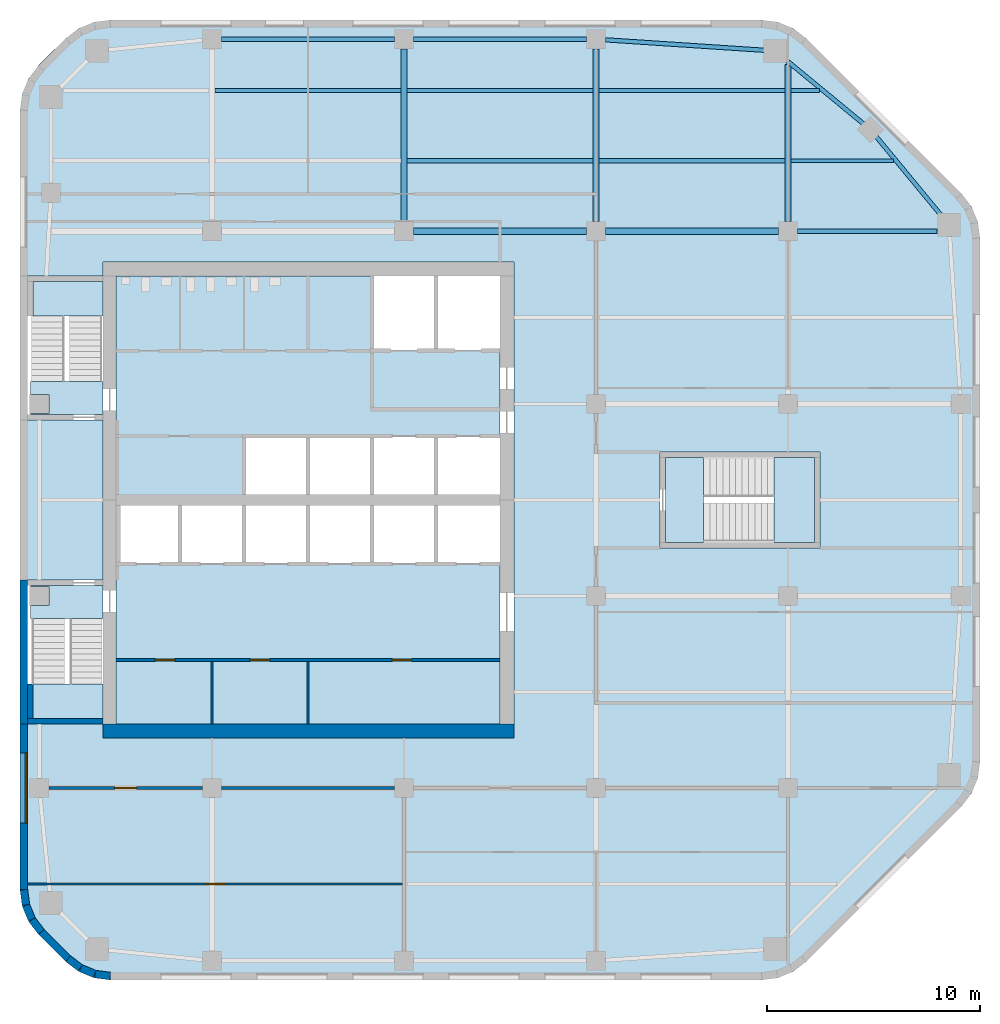
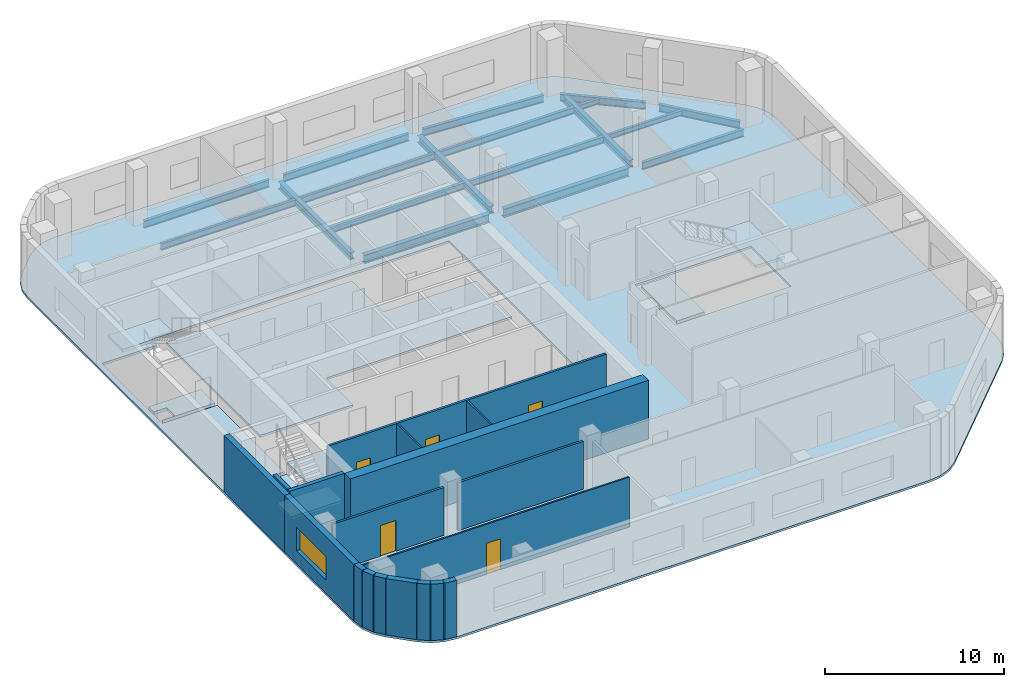
# One storey, part 2 of 8: 18 beams, 18 walls, 9 slabs, 5 doors, 1 window, 6 openings, 3 elements without a shape of their own.
"""IFC4 building model written with IfcOpenShell, lengths in metres."""

from ifc_helpers import new_model, si_unit, direction, frame, frame_2d, origin, origin_2d, place, context, subcontext, project, spatial, polyline, rectangle, i_section, outline, extrude, material, layer, layer_set, material_profile, profile_set, type_object, element, fill, aggregate, save


model = new_model("IFC4")

# Units and contexts
model_context = context("Model", 3, precision=1e-05, world=origin(), true_north=direction((0.0, 1.0)))
body_context = subcontext(model_context, "Body", "Model", "MODEL_VIEW")
ifc_project = project(units=[si_unit("LENGTHUNIT", "METRE"), si_unit("AREAUNIT", "SQUARE_METRE"), si_unit("VOLUMEUNIT", "CUBIC_METRE"), si_unit("PLANEANGLEUNIT", "RADIAN"), si_unit("MASSUNIT", "GRAM", prefix="KILO")], contexts=[model_context])

# Site, building, storey
site_placement = place(None, origin())
site = spatial("IfcSite", under=ifc_project, at=site_placement, CompositionType="ELEMENT")
building_placement = place(site_placement, origin())
building = spatial("IfcBuilding", under=site, at=building_placement, Name="Cinnabar Reach Civic Tower", CompositionType="ELEMENT")
storey_placement = place(building_placement, frame((0.0, 0.0, 185.0)))
storey = spatial("IfcBuildingStorey", under=building, at=storey_placement, Name="L44", CompositionType="ELEMENT", Elevation=185.0)

# Beams
ifc_material_1 = material(Name="Steel Q355B", Category="steel")
ifc_material_profile_1 = material_profile(ifc_material_1, i_section(OverallWidth=0.3, OverallDepth=0.488, WebThickness=0.011, FlangeThickness=0.018, FilletRadius=0.016, at=origin_2d()), Name="HM488x300x11x18")
ifc_profile_set_1 = profile_set([ifc_material_profile_1], Name="Steel Q355B")
beam_type_1 = type_object("IfcBeamType", Name="HM488x300x11x18 beam R 180", PredefinedType="BEAM", material=ifc_profile_set_1)
for number, where, z_axis, x_axis, name in (
    (1, (18.0, 44.552, -0.394), (0.0, 1.0, 0.0), (-1.0, 0.0, 0.0), "Girder T1 L44 6"),
    (2, (27.0, 44.552, -0.394), (0.0, 1.0, 0.0), (-1.0, 0.0, 0.0), "Girder T1 L44 11"),
):
    element("IfcBeam", number, at=place(storey_placement, frame(where, z_axis=z_axis, x_axis=x_axis)), inside=storey, type_object=beam_type_1, Name=name, PredefinedType="BEAM", context=body_context, shape_type="SweptSolid", body=[
        extrude(i_section(OverallWidth=0.3, OverallDepth=0.488, WebThickness=0.011, FlangeThickness=0.018, FilletRadius=0.016, at=origin_2d()), origin(), (0.0, 0.0, 1.0), 8.096),
    ])
beam_1_placement = place(storey_placement, frame((36.0, 44.552, -0.394), z_axis=(0.0, 1.0, 0.0), x_axis=(-1.0, 0.0, 0.0)))
element("IfcBeam", 3, at=beam_1_placement, inside=storey, type_object=beam_type_1, Name="Girder T1 L44 17", PredefinedType="BEAM", context=body_context, shape_type="SweptSolid", body=[
    extrude(i_section(OverallWidth=0.3, OverallDepth=0.488, WebThickness=0.011, FlangeThickness=0.018, FilletRadius=0.016, at=origin_2d()), origin(), (0.0, 0.0, 1.0), 7.3662),
])
ifc_material_profile_2 = material_profile(ifc_material_1, i_section(OverallWidth=0.3, OverallDepth=0.588, WebThickness=0.012, FlangeThickness=0.02, FilletRadius=0.016, at=origin_2d()), Name="HM588x300x12x20")
ifc_profile_set_2 = profile_set([ifc_material_profile_2], Name="Steel Q355B")
beam_type_2 = type_object("IfcBeamType", Name="HM588x300x12x20 beam R 180", PredefinedType="BEAM", material=ifc_profile_set_2)
for number, where, z_axis, x_axis, name in (
    (4, (18.452, 44.1, -0.444), (1.0, 0.0, 0.0), (0.0, 1.0, 0.0), "Girder T1 L44 14"),
    (5, (27.452, 44.1, -0.444), (1.0, 0.0, 0.0), (0.0, 1.0, 0.0), "Girder T1 L44 15"),
):
    element("IfcBeam", number, at=place(storey_placement, frame(where, z_axis=z_axis, x_axis=x_axis)), inside=storey, type_object=beam_type_2, Name=name, PredefinedType="BEAM", context=body_context, shape_type="SweptSolid", body=[
        extrude(i_section(OverallWidth=0.3, OverallDepth=0.588, WebThickness=0.012, FlangeThickness=0.02, FilletRadius=0.016, at=origin_2d()), origin(), (0.0, 0.0, 1.0), 8.096),
    ])
ifc_material_profile_3 = material_profile(ifc_material_1, i_section(OverallWidth=0.175, OverallDepth=0.35, WebThickness=0.007, FlangeThickness=0.011, FilletRadius=0.013, at=origin_2d()), Name="HN350x175x7x11")
ifc_profile_set_3 = profile_set([ifc_material_profile_3], Name="Steel Q355B")
beam_type_3 = type_object("IfcBeamType", Name="HN350x175x7x11 beam R 180", PredefinedType="BEAM", material=ifc_profile_set_3)
beam_2_placement = place(storey_placement, frame((36.152, 47.4, -0.325), z_axis=(1.0, 0.0, 0.0), x_axis=(0.0, 1.0, 0.0)))
element("IfcBeam", 6, at=beam_2_placement, inside=storey, type_object=beam_type_3, Name="Secondary beam T1 L44 20", PredefinedType="BEAM", context=body_context, shape_type="SweptSolid", body=[
    extrude(i_section(OverallWidth=0.175, OverallDepth=0.35, WebThickness=0.007, FlangeThickness=0.011, FilletRadius=0.013, at=origin_2d()), origin(), (0.0, 0.0, 1.0), 4.7866),
])
beam_3_placement = place(storey_placement, frame((36.152, 50.7, -0.325), z_axis=(1.0, 0.0, 0.0), x_axis=(0.0, 1.0, 0.0)))
element("IfcBeam", 7, at=beam_3_placement, inside=storey, type_object=beam_type_3, Name="Secondary beam T1 L44 25", PredefinedType="BEAM", context=body_context, shape_type="SweptSolid", body=[
    extrude(i_section(OverallWidth=0.175, OverallDepth=0.35, WebThickness=0.007, FlangeThickness=0.011, FilletRadius=0.013, at=origin_2d()), origin(), (0.0, 0.0, 1.0), 1.3249),
])
ifc_material_profile_4 = material_profile(ifc_material_1, i_section(OverallWidth=0.2, OverallDepth=0.45, WebThickness=0.009, FlangeThickness=0.014, FilletRadius=0.016, at=origin_2d()), Name="HN450x200x9x14")
ifc_profile_set_4 = profile_set([ifc_material_profile_4], Name="Steel Q355B")
beam_type_4 = type_object("IfcBeamType", Name="HN450x200x9x14 beam R 180", PredefinedType="BEAM", material=ifc_profile_set_4)
for number, where, z_axis, x_axis, name in (
    (8, (18.152, 47.4, -0.375), (1.0, 0.0, 0.0), (0.0, 1.0, 0.0), "Secondary beam T1 L44 18"),
    (9, (27.152, 47.4, -0.375), (1.0, 0.0, 0.0), (0.0, 1.0, 0.0), "Secondary beam T1 L44 19"),
    (10, (9.152, 50.7, -0.375), (1.0, 0.0, 0.0), (0.0, 1.0, 0.0), "Secondary beam T1 L44 22"),
    (11, (18.152, 50.7, -0.375), (1.0, 0.0, 0.0), (0.0, 1.0, 0.0), "Secondary beam T1 L44 23"),
    (12, (27.152, 50.7, -0.375), (1.0, 0.0, 0.0), (0.0, 1.0, 0.0), "Secondary beam T1 L44 24"),
):
    element("IfcBeam", number, at=place(storey_placement, frame(where, z_axis=z_axis, x_axis=x_axis)), inside=storey, type_object=beam_type_4, Name=name, PredefinedType="BEAM", context=body_context, shape_type="SweptSolid", body=[
        extrude(i_section(OverallWidth=0.2, OverallDepth=0.45, WebThickness=0.009, FlangeThickness=0.014, FilletRadius=0.016, at=origin_2d()), origin(), (0.0, 0.0, 1.0), 8.696),
    ])
ifc_material_profile_5 = material_profile(ifc_material_1, i_section(OverallWidth=0.2, OverallDepth=0.5, WebThickness=0.01, FlangeThickness=0.016, FilletRadius=0.016, at=origin_2d()), Name="HN500x200x10x16")
ifc_profile_set_5 = profile_set([ifc_material_profile_5], Name="Steel Q355B")
beam_type_5 = type_object("IfcBeamType", Name="HN500x200x10x16 beam R 180", PredefinedType="BEAM", material=ifc_profile_set_5)
for number, where, z_axis, x_axis, name in (
    (13, (43.1906, 44.8301, -0.4), (-0.63630880182, 0.771434448755, 0.0), (-0.771434448755, -0.63630880182, 0.0), "Edge beam T1 L44 9"),
    (14, (39.5598, 49.1142, -0.4), (-0.771434448755, 0.63630880182, 0.0), (-0.63630880182, -0.771434448755, 0.0), "Edge beam T1 L44 10"),
):
    element("IfcBeam", number, at=place(storey_placement, frame(where, z_axis=z_axis, x_axis=x_axis)), inside=storey, type_object=beam_type_5, Name=name, PredefinedType="BEAM", context=body_context, shape_type="SweptSolid", body=[
        extrude(i_section(OverallWidth=0.2, OverallDepth=0.5, WebThickness=0.01, FlangeThickness=0.016, FilletRadius=0.016, at=origin_2d()), origin(), (0.0, 0.0, 1.0), 4.8348),
    ])
beam_4_placement = place(storey_placement, frame((34.9661, 52.5754, -0.4), z_axis=(-0.99783894477, 0.065707231721, 0.0), x_axis=(-0.065707231721, -0.99783894477, 0.0)))
element("IfcBeam", 15, at=beam_4_placement, inside=storey, type_object=beam_type_5, Name="Edge beam T1 L44 11", PredefinedType="BEAM", context=body_context, shape_type="SweptSolid", body=[
    extrude(i_section(OverallWidth=0.2, OverallDepth=0.5, WebThickness=0.01, FlangeThickness=0.016, FilletRadius=0.016, at=origin_2d()), origin(), (0.0, 0.0, 1.0), 7.5304),
])
for number, where, z_axis, x_axis, name in (
    (16, (26.548, 53.1, -0.4), (-1.0, 0.0, 0.0), (0.0, -1.0, 0.0), "Edge beam T1 L44 12"),
    (17, (17.548, 53.1, -0.4), (-1.0, 0.0, 0.0), (0.0, -1.0, 0.0), "Edge beam T1 L44 13"),
):
    element("IfcBeam", number, at=place(storey_placement, frame(where, z_axis=z_axis, x_axis=x_axis)), inside=storey, type_object=beam_type_5, Name=name, PredefinedType="BEAM", context=body_context, shape_type="SweptSolid", body=[
        extrude(i_section(OverallWidth=0.2, OverallDepth=0.5, WebThickness=0.01, FlangeThickness=0.016, FilletRadius=0.016, at=origin_2d()), origin(), (0.0, 0.0, 1.0), 8.096),
    ])
beam_5_placement = place(storey_placement, frame((36.452, 44.1, -0.4), z_axis=(1.0, 0.0, 0.0), x_axis=(0.0, 1.0, 0.0)))
element("IfcBeam", 18, at=beam_5_placement, inside=storey, type_object=beam_type_5, Name="Girder T1 L44 16", PredefinedType="BEAM", context=body_context, shape_type="SweptSolid", body=[
    extrude(i_section(OverallWidth=0.2, OverallDepth=0.5, WebThickness=0.01, FlangeThickness=0.016, FilletRadius=0.016, at=origin_2d()), origin(), (0.0, 0.0, 1.0), 6.5429),
])

# Slab
ifc_material_2 = material(Name="Concrete C40", Category="concrete")
ifc_layer_1 = layer(ifc_material_2, 0.15)
ifc_layer_set_1 = layer_set([ifc_layer_1], Name="Composite floor slab 150 REI 150")
slab_type_1 = type_object("IfcSlabType", Name="Composite floor slab 150 REI 150", PredefinedType="FLOOR", material=ifc_layer_set_1)
slab_1_placement = place(storey_placement, frame((0.0, 0.0, -0.15)))
element("IfcSlab", 19, at=slab_1_placement, inside=storey, type_object=slab_type_1, Name="Composite floor slab 150 T1 L44", PredefinedType="FLOOR", context=body_context, shape_type="SweptSolid", body=[
    extrude(outline(polyline([(0.8787, 11.1213), (0.4019, 11.7426), (0.1022, 12.4662), (0.0, 13.2426), (0.0, 49.7574), (0.1022, 50.5338), (0.4019, 51.2574), (0.8787, 51.8787), (2.1213, 53.1213), (2.7426, 53.5981), (3.4662, 53.8978), (4.2426, 54.0), (34.7574, 54.0), (35.5338, 53.8978), (36.2574, 53.5981), (36.8787, 53.1213), (44.1213, 45.8787), (44.5981, 45.2574), (44.8978, 44.5338), (45.0, 43.7574), (45.0, 19.2426), (44.8978, 18.4662), (44.5981, 17.7426), (44.1213, 17.1213), (36.8787, 9.8787), (36.2574, 9.4019), (35.5338, 9.1022), (34.7574, 9.0), (4.2426, 9.0), (3.4662, 9.1022), (2.7426, 9.4019), (2.1213, 9.8787), (0.8787, 11.1213)]), holes=[polyline([(0.36, 21.0), (3.9, 21.0), (3.9, 20.35), (23.15, 20.35), (23.15, 42.65), (3.9, 42.65), (3.9, 42.0), (0.36, 42.0), (0.36, 35.25), (3.9, 35.25), (3.9, 27.75), (0.36, 27.75), (0.36, 21.0)]), polyline([(30.0, 33.75), (30.0, 29.25), (37.5, 29.25), (37.5, 33.75), (30.0, 33.75)])]), origin(), (0.0, 0.0, 1.0), 0.15),
])

# Stair, slabs
ifc_material_3 = material(Name="Concrete C40/50", Category="concrete")
stair_type = type_object("IfcStairType", Name="T1 Exit stair, half-turn", PredefinedType="HALF_TURN_STAIR", material=ifc_material_3)
stair_1_placement = place(storey_placement, origin())
stair_1 = element("IfcStair", 20, at=stair_1_placement, inside=storey, type_object=stair_type, Name="Stair T1-S1", PredefinedType="HALF_TURN_STAIR")
ifc_layer_2 = layer(ifc_material_3, 0.2)
ifc_layer_set_2 = layer_set([ifc_layer_2], Name="T1 Stair landing 200, Concrete C40/50")
slab_type_2 = type_object("IfcSlabType", Name="T1 Stair landing 200, Concrete C40/50", PredefinedType="LANDING", material=ifc_layer_set_2)
slab_2_placement = place(storey_placement, frame((0.0, 0.0, -0.2)))
slab_2 = element("IfcSlab", 21, at=slab_2_placement, type_object=slab_type_2, Name="T1-S1 landing 1", PredefinedType="LANDING", context=body_context, shape_type="SweptSolid", body=[
    extrude(outline(polyline([(0.5, 27.5), (3.9, 27.5), (3.9, 25.95), (0.5, 25.95), (0.5, 26.55), (1.35, 26.55), (1.35, 27.45), (0.5, 27.45), (0.5, 27.5)])), origin(), (0.0, 0.0, 1.0), 0.2),
])
slab_3_placement = place(storey_placement, frame((0.0, 0.0, 1.8)))
slab_3 = element("IfcSlab", 22, at=slab_3_placement, type_object=slab_type_2, Name="T1-S1 landing 2", PredefinedType="LANDING", context=body_context, shape_type="SweptSolid", body=[
    extrude(outline(polyline([(0.6, 21.25), (0.6, 22.87), (3.9, 22.87), (3.9, 21.25), (0.6, 21.25)])), origin(), (0.0, 0.0, 1.0), 0.2),
])
aggregate(stair_1, [slab_2, slab_3])

stair_2_placement = place(storey_placement, origin())
stair_2 = element("IfcStair", 23, at=stair_2_placement, inside=storey, type_object=stair_type, Name="Stair T1-S2", PredefinedType="HALF_TURN_STAIR")
slab_4_placement = place(storey_placement, frame((0.0, 0.0, -0.2)))
slab_4 = element("IfcSlab", 24, at=slab_4_placement, type_object=slab_type_2, Name="T1-S2 landing 1", PredefinedType="LANDING", context=body_context, shape_type="SweptSolid", body=[
    extrude(outline(polyline([(0.5, 37.05), (3.9, 37.05), (3.9, 35.5), (0.5, 35.5), (0.5, 35.55), (1.35, 35.55), (1.35, 36.45), (0.5, 36.45), (0.5, 37.05)])), origin(), (0.0, 0.0, 1.0), 0.2),
])
slab_5_placement = place(storey_placement, frame((0.0, 0.0, 1.8)))
slab_5 = element("IfcSlab", 25, at=slab_5_placement, type_object=slab_type_2, Name="T1-S2 landing 2", PredefinedType="LANDING", context=body_context, shape_type="SweptSolid", body=[
    extrude(outline(polyline([(0.6, 40.13), (0.6, 41.75), (3.9, 41.75), (3.9, 40.13), (0.6, 40.13)])), origin(), (0.0, 0.0, 1.0), 0.2),
])
aggregate(stair_2, [slab_4, slab_5])

stair_3_placement = place(storey_placement, origin())
stair_3 = element("IfcStair", 26, at=stair_3_placement, inside=storey, type_object=stair_type, Name="Stair T1-S3", PredefinedType="HALF_TURN_STAIR")
slab_6_placement = place(storey_placement, frame((0.0, 0.0, -0.2)))
slab_6 = element("IfcSlab", 27, at=slab_6_placement, type_object=slab_type_2, Name="T1-S3 landing 1", PredefinedType="LANDING", context=body_context, shape_type="SweptSolid", body=[
    extrude(outline(polyline([(30.25, 29.5), (32.05, 29.5), (32.05, 33.5), (30.25, 33.5), (30.25, 29.5)])), origin(), (0.0, 0.0, 1.0), 0.2),
])
slab_7_placement = place(storey_placement, frame((0.0, 0.0, 1.8)))
slab_7 = element("IfcSlab", 28, at=slab_7_placement, type_object=slab_type_2, Name="T1-S3 landing 2", PredefinedType="LANDING", context=body_context, shape_type="SweptSolid", body=[
    extrude(outline(polyline([(35.35, 29.5), (37.25, 29.5), (37.25, 33.5), (35.35, 33.5), (35.35, 29.5)])), origin(), (0.0, 0.0, 1.0), 0.2),
])
aggregate(stair_3, [slab_6, slab_7])

# Slabs
ifc_layer_3 = layer(ifc_material_3, 0.15)
ifc_layer_set_3 = layer_set([ifc_layer_3], Name="T1 core floor slab 150")
slab_type_3 = type_object("IfcSlabType", Name="T1 core floor slab 150", PredefinedType="FLOOR", material=ifc_layer_set_3)
slab_8_placement = place(storey_placement, frame((0.0, 0.0, -0.15)))
element("IfcSlab", 29, at=slab_8_placement, inside=storey, type_object=slab_type_3, Name="Core floor slab L44", PredefinedType="FLOOR", context=body_context, shape_type="SweptSolid", body=[
    extrude(outline(polyline([(22.5, 21.0), (4.5, 21.0), (4.5, 28.5), (7.5, 28.5), (10.5, 28.5), (13.5, 28.5), (16.5, 28.5), (19.5, 28.5), (22.5, 28.5), (22.5, 21.0)])), origin(), (0.0, 0.0, 1.0), 0.15),
])
slab_9_placement = place(storey_placement, frame((0.0, 0.0, -0.15)))
element("IfcSlab", 30, at=slab_9_placement, inside=storey, type_object=slab_type_3, Name="Core floor slab L44", PredefinedType="FLOOR", context=body_context, shape_type="SweptSolid", body=[
    extrude(outline(polyline([(22.5, 34.5), (19.5, 34.5), (16.5, 34.5), (13.5, 34.5), (10.5, 34.5), (10.5, 31.5), (7.5, 31.5), (4.5, 31.5), (4.5, 42.0), (16.5, 42.0), (16.5, 38.5), (19.5, 38.5), (22.5, 38.5), (22.5, 34.5)])), origin(), (0.0, 0.0, 1.0), 0.15),
])

# Walls
ifc_material_4 = material(Name="Facing brick with insulated backing", Category="masonry")
ifc_layer_4 = layer(ifc_material_4, 0.36)
ifc_layer_set_4 = layer_set([ifc_layer_4], Name="Brick corner wall")
wall_type_1 = type_object("IfcWallType", Name="Brick corner wall", PredefinedType="STANDARD", material=ifc_layer_set_4)
for number, where, z_axis, x_axis, name in (
    (31, (0.183, 13.2314, 0.0), (0.0, 0.0, 1.0), (0.13055608231, -0.99144092581, 0.0), "Brick corner wall"),
    (32, (0.2819, 12.5027, 0.0), (0.0, 0.0, 1.0), (0.382702709855, -0.923871547278, 0.0), "Brick corner wall"),
):
    element("IfcWall", number, at=place(storey_placement, frame(where, z_axis=z_axis, x_axis=x_axis)), inside=storey, type_object=wall_type_1, Name=name, PredefinedType="STANDARD", context=body_context, shape_type="SweptSolid", body=[
        extrude(rectangle(XDim=0.7131, YDim=0.36, at=frame_2d((0.3565, 0.0))), origin(), (0.0, 0.0, 1.0), 3.85),
    ])
for number, where, z_axis, x_axis, name in (
    (33, (0.566, 11.8245, 0.0), (0.0, 0.0, 1.0), (0.608802368033, -0.793321924995, 0.0), "Brick corner wall"),
    (34, (2.2587, 10.0002, 0.0), (0.0, 0.0, 1.0), (0.793321924995, -0.608802368033, 0.0), "Brick corner wall"),
):
    element("IfcWall", number, at=place(storey_placement, frame(where, z_axis=z_axis, x_axis=x_axis)), inside=storey, type_object=wall_type_1, Name=name, PredefinedType="STANDARD", context=body_context, shape_type="SweptSolid", body=[
        extrude(rectangle(XDim=0.7132, YDim=0.36, at=frame_2d((0.3566, 0.0))), origin(), (0.0, 0.0, 1.0), 3.85),
    ])
for number, where, z_axis, x_axis, name in (
    (35, (2.8439, 9.5548, 0.0), (0.0, 0.0, 1.0), (0.923871547278, -0.382702709855, 0.0), "Brick corner wall"),
    (36, (3.5244, 9.2761, 0.0), (0.0, 0.0, 1.0), (0.99144092581, -0.13055608231, 0.0), "Brick corner wall"),
):
    element("IfcWall", number, at=place(storey_placement, frame(where, z_axis=z_axis, x_axis=x_axis)), inside=storey, type_object=wall_type_1, Name=name, PredefinedType="STANDARD", context=body_context, shape_type="SweptSolid", body=[
        extrude(rectangle(XDim=0.7131, YDim=0.36, at=frame_2d((0.3565, 0.0))), origin(), (0.0, 0.0, 1.0), 3.85),
    ])
ifc_layer_5 = layer(ifc_material_4, 0.36)
ifc_layer_set_5 = layer_set([ifc_layer_5], Name="Brick pier and spandrel wall")
wall_type_2 = type_object("IfcWallType", Name="Brick pier and spandrel wall", PredefinedType="STANDARD", material=ifc_layer_set_5)
wall_1_placement = place(storey_placement, frame((0.18, 27.75, 0.0), z_axis=(0.0, 0.0, 1.0), x_axis=(0.0, -1.0, 0.0)))
element("IfcWall", 37, at=wall_1_placement, inside=storey, type_object=wall_type_2, Name="Brick facade wall", PredefinedType="STANDARD", context=body_context, shape_type="SweptSolid", body=[
    extrude(rectangle(XDim=6.75, YDim=0.36, at=frame_2d((3.375, 0.0))), origin(), (0.0, 0.0, 1.0), 3.85),
])

# Wall, opening, window
wall_2_placement = place(storey_placement, frame((0.18, 21.0, 0.0), z_axis=(0.0, 0.0, 1.0), x_axis=(0.0, -1.0, 0.0)))
wall_2 = element("IfcWall", 38, at=wall_2_placement, inside=storey, type_object=wall_type_2, Name="Brick facade wall", PredefinedType="STANDARD", context=body_context, shape_type="SweptSolid", body=[
    extrude(rectangle(XDim=7.7574, YDim=0.36, at=frame_2d((3.8787, 0.0))), origin(), (0.0, 0.0, 1.0), 3.85),
])
opening_1_placement = place(wall_2_placement, frame((1.35, 0.0, 0.9)))
opening_1 = element("IfcOpeningElement", 39, at=opening_1_placement, cuts=wall_2, Name="Opening W1920", PredefinedType="OPENING", context=body_context, shape_type="SweptSolid", body=[
    extrude(rectangle(XDim=3.3, YDim=1.6, at=frame_2d((1.65, 0.8))), frame((0.0, 0.19, 0.0), z_axis=(0.0, -1.0, 0.0), x_axis=(1.0, 0.0, 0.0)), (0.0, 0.0, 1.0), 0.38),
])
ifc_material_5 = material(Name="Clear double glazing in aluminium frame", Category="aluminium")
window_type = type_object("IfcWindowType", Name="Deep-set window A", PartitioningType="SINGLE_PANEL", PredefinedType="WINDOW", material=ifc_material_5)
window_placement = place(opening_1_placement, origin())
window = element("IfcWindow", 40, at=window_placement, inside=storey, type_object=window_type, Name="Window west face", OverallHeight=1.6, OverallWidth=3.3, PartitioningType="SINGLE_PANEL", PredefinedType="WINDOW", context=body_context, shape_type="SweptSolid", body=[
    extrude(rectangle(XDim=3.3, YDim=1.6, at=frame_2d((1.65, 0.8))), frame((0.0, 0.13, 0.0), z_axis=(0.0, -1.0, 0.0), x_axis=(1.0, 0.0, 0.0)), (0.0, 0.0, 1.0), 0.06),
])
fill(opening_1, window)

# Walls
wall_3_placement = place(storey_placement, frame((1.006, 11.2486, 0.0), z_axis=(0.0, 0.0, 1.0), x_axis=(0.707106781187, -0.707106781187, 0.0)))
element("IfcWall", 41, at=wall_3_placement, inside=storey, type_object=wall_type_2, Name="Brick facade wall", PredefinedType="STANDARD", context=body_context, shape_type="SweptSolid", body=[
    extrude(rectangle(XDim=1.7573, YDim=0.36, at=frame_2d((0.8787, 0.0))), origin(), (0.0, 0.0, 1.0), 3.85),
])
ifc_material_6 = material(Name="Concrete C70", Category="concrete")
ifc_layer_6 = layer(ifc_material_6, 0.65)
ifc_layer_set_6 = layer_set([ifc_layer_6], Name="Core wall 650 EI 180")
wall_type_3 = type_object("IfcWallType", Name="Core wall 650 EI 180", PredefinedType="SOLIDWALL", material=ifc_layer_set_6)
wall_4_placement = place(storey_placement, frame((3.9, 20.675, 0.0), z_axis=(0.0, 0.0, 1.0), x_axis=(1.0, 0.0, 0.0)))
element("IfcWall", 42, at=wall_4_placement, inside=storey, type_object=wall_type_3, Name="Core wall T1 L44 S", PredefinedType="SOLIDWALL", context=body_context, shape_type="SweptSolid", body=[
    extrude(rectangle(XDim=19.25, YDim=0.65, at=frame_2d((9.625, 0.0))), origin(), (0.0, 0.0, 1.0), 4.0),
])

# Wall, opening, door
ifc_material_7 = material(Name="Gypsum board on steel studs, double layer", Category="steel")
ifc_layer_7 = layer(ifc_material_7, 0.15)
ifc_layer_set_7 = layer_set([ifc_layer_7], Name="Corridor wall 150 T1")
wall_type_4 = type_object("IfcWallType", Name="Corridor wall 150 T1", PredefinedType="PARTITIONING", material=ifc_layer_set_7)
wall_5_placement = place(storey_placement, frame((1.35, 18.0, 0.0), z_axis=(0.0, 0.0, 1.0), x_axis=(1.0, 0.0, 0.0)))
wall_5 = element("IfcWall", 43, at=wall_5_placement, inside=storey, type_object=wall_type_4, Name="Corridor wall 18", PredefinedType="PARTITIONING", context=body_context, shape_type="SweptSolid", body=[
    extrude(rectangle(XDim=7.2, YDim=0.15, at=frame_2d((3.6, 0.0))), origin(), (0.0, 0.0, 1.0), 3.262),
])
opening_2_placement = place(wall_5_placement, frame((3.1, 0.0, 0.0)))
opening_2 = element("IfcOpeningElement", 44, at=opening_2_placement, cuts=wall_5, Name="Opening D4825", PredefinedType="OPENING", context=body_context, shape_type="SweptSolid", body=[
    extrude(rectangle(XDim=1.0, YDim=2.1, at=frame_2d((0.5, 1.05))), frame((0.0, 0.085, 0.0), z_axis=(0.0, -1.0, 0.0), x_axis=(1.0, 0.0, 0.0)), (0.0, 0.0, 1.0), 0.17),
])
ifc_material_8 = material(Name="Timber door leaf in steel frame", Category="steel")
door_type_1 = type_object("IfcDoorType", Name="Tenancy entrance door 1000 x 2100 T1", OperationType="SINGLE_SWING_LEFT", PredefinedType="DOOR", material=ifc_material_8)
door_1_placement = place(opening_2_placement, frame((1.0, 0.0, 0.0), z_axis=(0.0, 0.0, 1.0), x_axis=(-1.0, 0.0, 0.0)))
door_1 = element("IfcDoor", 45, at=door_1_placement, inside=storey, type_object=door_type_1, Name="Door D4825", OperationType="SINGLE_SWING_LEFT", OverallHeight=2.1, OverallWidth=1.0, PredefinedType="DOOR", context=body_context, shape_type="SweptSolid", body=[
    extrude(rectangle(XDim=1.0, YDim=2.1, at=frame_2d((0.5, 1.05))), frame((0.0, 0.025, 0.0), z_axis=(0.0, -1.0, 0.0), x_axis=(1.0, 0.0, 0.0)), (0.0, 0.0, 1.0), 0.05),
])
fill(opening_2, door_1)

# Wall
wall_6_placement = place(storey_placement, frame((9.45, 18.0, 0.0), z_axis=(0.0, 0.0, 1.0), x_axis=(1.0, 0.0, 0.0)))
element("IfcWall", 46, at=wall_6_placement, inside=storey, type_object=wall_type_4, Name="Corridor wall 19", PredefinedType="PARTITIONING", context=body_context, shape_type="SweptSolid", body=[
    extrude(rectangle(XDim=8.1, YDim=0.15, at=frame_2d((4.05, 0.0))), origin(), (0.0, 0.0, 1.0), 3.262),
])

# Wall, openings, doors
wall_7_placement = place(storey_placement, frame((4.5, 24.0, 0.0), z_axis=(0.0, 0.0, 1.0), x_axis=(1.0, 0.0, 0.0)))
wall_7 = element("IfcWall", 47, at=wall_7_placement, inside=storey, type_object=wall_type_4, Name="Corridor wall 26", PredefinedType="PARTITIONING", context=body_context, shape_type="SweptSolid", body=[
    extrude(rectangle(XDim=18.0, YDim=0.15, at=frame_2d((9.0, 0.0))), origin(), (0.0, 0.0, 1.0), 3.85),
])
opening_3_placement = place(wall_7_placement, frame((1.85, 0.0, 0.0)))
opening_3 = element("IfcOpeningElement", 48, at=opening_3_placement, cuts=wall_7, Name="Opening D4812", PredefinedType="OPENING", context=body_context, shape_type="SweptSolid", body=[
    extrude(rectangle(XDim=0.9, YDim=2.1, at=frame_2d((0.45, 1.05))), frame((0.0, 0.085, 0.0), z_axis=(0.0, -1.0, 0.0), x_axis=(1.0, 0.0, 0.0)), (0.0, 0.0, 1.0), 0.17),
])
opening_4_placement = place(wall_7_placement, frame((6.3, 0.0, 0.0)))
opening_4 = element("IfcOpeningElement", 49, at=opening_4_placement, cuts=wall_7, Name="Opening D4813", PredefinedType="OPENING", context=body_context, shape_type="SweptSolid", body=[
    extrude(rectangle(XDim=0.9, YDim=2.1, at=frame_2d((0.45, 1.05))), frame((0.0, 0.085, 0.0), z_axis=(0.0, -1.0, 0.0), x_axis=(1.0, 0.0, 0.0)), (0.0, 0.0, 1.0), 0.17),
])
opening_5_placement = place(wall_7_placement, frame((12.95, 0.0, 0.0)))
opening_5 = element("IfcOpeningElement", 50, at=opening_5_placement, cuts=wall_7, Name="Opening D4814", PredefinedType="OPENING", context=body_context, shape_type="SweptSolid", body=[
    extrude(rectangle(XDim=0.9, YDim=2.1, at=frame_2d((0.45, 1.05))), frame((0.0, 0.085, 0.0), z_axis=(0.0, -1.0, 0.0), x_axis=(1.0, 0.0, 0.0)), (0.0, 0.0, 1.0), 0.17),
])
door_type_2 = type_object("IfcDoorType", Name="Single swing door 900 x 2100 corridor T1", OperationType="SINGLE_SWING_LEFT", PredefinedType="DOOR", material=ifc_material_8)
door_2_placement = place(opening_3_placement, frame((0.9, 0.0, 0.0), z_axis=(0.0, 0.0, 1.0), x_axis=(-1.0, 0.0, 0.0)))
door_2 = element("IfcDoor", 51, at=door_2_placement, inside=storey, type_object=door_type_2, Name="Door D4812", OperationType="SINGLE_SWING_LEFT", OverallHeight=2.1, OverallWidth=0.9, PredefinedType="DOOR", context=body_context, shape_type="SweptSolid", body=[
    extrude(rectangle(XDim=0.9, YDim=2.1, at=frame_2d((0.45, 1.05))), frame((0.0, 0.025, 0.0), z_axis=(0.0, -1.0, 0.0), x_axis=(1.0, 0.0, 0.0)), (0.0, 0.0, 1.0), 0.05),
])
fill(opening_3, door_2)
door_3_placement = place(opening_4_placement, frame((0.9, 0.0, 0.0), z_axis=(0.0, 0.0, 1.0), x_axis=(-1.0, 0.0, 0.0)))
door_3 = element("IfcDoor", 52, at=door_3_placement, inside=storey, type_object=door_type_2, Name="Door D4813", OperationType="SINGLE_SWING_RIGHT", OverallHeight=2.1, OverallWidth=0.9, PredefinedType="DOOR", context=body_context, shape_type="SweptSolid", body=[
    extrude(rectangle(XDim=0.9, YDim=2.1, at=frame_2d((0.45, 1.05))), frame((0.0, 0.025, 0.0), z_axis=(0.0, -1.0, 0.0), x_axis=(1.0, 0.0, 0.0)), (0.0, 0.0, 1.0), 0.05),
])
fill(opening_4, door_3)
door_4_placement = place(opening_5_placement, frame((0.9, 0.0, 0.0), z_axis=(0.0, 0.0, 1.0), x_axis=(-1.0, 0.0, 0.0)))
door_4 = element("IfcDoor", 53, at=door_4_placement, inside=storey, type_object=door_type_2, Name="Door D4814", OperationType="SINGLE_SWING_LEFT", OverallHeight=2.1, OverallWidth=0.9, PredefinedType="DOOR", context=body_context, shape_type="SweptSolid", body=[
    extrude(rectangle(XDim=0.9, YDim=2.1, at=frame_2d((0.45, 1.05))), frame((0.0, 0.025, 0.0), z_axis=(0.0, -1.0, 0.0), x_axis=(1.0, 0.0, 0.0)), (0.0, 0.0, 1.0), 0.05),
])
fill(opening_5, door_4)

# Wall, opening, door
ifc_material_9 = material(Name="Gypsum board on steel studs", Category="steel")
ifc_layer_8 = layer(ifc_material_9, 0.1)
ifc_layer_set_8 = layer_set([ifc_layer_8], Name="Partition wall 100 T1")
wall_type_5 = type_object("IfcWallType", Name="Partition wall 100 T1", PredefinedType="PARTITIONING", material=ifc_layer_set_8)
wall_8_placement = place(storey_placement, frame((0.36, 13.5, 0.0), z_axis=(0.0, 0.0, 1.0), x_axis=(1.0, 0.0, 0.0)))
wall_8 = element("IfcWall", 54, at=wall_8_placement, inside=storey, type_object=wall_type_5, Name="Partition wall 46", PredefinedType="PARTITIONING", context=body_context, shape_type="SweptSolid", body=[
    extrude(rectangle(XDim=17.565, YDim=0.1, at=frame_2d((8.7825, 0.0))), origin(), (0.0, 0.0, 1.0), 3.4),
])
opening_6_placement = place(wall_8_placement, frame((8.35, 0.0, 0.0)))
opening_6 = element("IfcOpeningElement", 55, at=opening_6_placement, cuts=wall_8, Name="Opening D4826", PredefinedType="OPENING", context=body_context, shape_type="SweptSolid", body=[
    extrude(rectangle(XDim=0.9, YDim=2.1, at=frame_2d((0.45, 1.05))), frame((0.0, 0.06, 0.0), z_axis=(0.0, -1.0, 0.0), x_axis=(1.0, 0.0, 0.0)), (0.0, 0.0, 1.0), 0.12),
])
door_type_3 = type_object("IfcDoorType", Name="Single swing door 900 x 2100 T1", OperationType="SINGLE_SWING_LEFT", PredefinedType="DOOR", material=ifc_material_8)
door_5_placement = place(opening_6_placement, frame((0.9, 0.0, 0.0), z_axis=(0.0, 0.0, 1.0), x_axis=(-1.0, 0.0, 0.0)))
door_5 = element("IfcDoor", 56, at=door_5_placement, inside=storey, type_object=door_type_3, Name="Door D4826", OperationType="SINGLE_SWING_RIGHT", OverallHeight=2.1, OverallWidth=0.9, PredefinedType="DOOR", context=body_context, shape_type="SweptSolid", body=[
    extrude(rectangle(XDim=0.9, YDim=2.1, at=frame_2d((0.45, 1.05))), frame((0.0, 0.025, 0.0), z_axis=(0.0, -1.0, 0.0), x_axis=(1.0, 0.0, 0.0)), (0.0, 0.0, 1.0), 0.05),
])
fill(opening_6, door_5)

# Walls
for number, where, z_axis, x_axis, name in (
    (57, (9.0, 21.0, 0.0), (0.0, 0.0, 1.0), (0.0, 1.0, 0.0), "Partition wall 56"),
    (58, (13.5, 21.0, 0.0), (0.0, 0.0, 1.0), (0.0, 1.0, 0.0), "Partition wall 57"),
):
    element("IfcWall", number, at=place(storey_placement, frame(where, z_axis=z_axis, x_axis=x_axis)), inside=storey, type_object=wall_type_5, Name=name, PredefinedType="PARTITIONING", context=body_context, shape_type="SweptSolid", body=[
        extrude(rectangle(XDim=2.925, YDim=0.1, at=frame_2d((1.4625, 0.0))), origin(), (0.0, 0.0, 1.0), 3.85),
    ])
ifc_material_10 = material(Name="Concrete C60", Category="concrete")
ifc_layer_9 = layer(ifc_material_10, 0.25)
ifc_layer_set_9 = layer_set([ifc_layer_9], Name="Stair shaft wall 250 EI 120")
wall_type_6 = type_object("IfcWallType", Name="Stair shaft wall 250 EI 120", PredefinedType="SOLIDWALL", material=ifc_layer_set_9)
wall_9_placement = place(storey_placement, frame((0.36, 21.125, 0.0), z_axis=(0.0, 0.0, 1.0), x_axis=(1.0, 0.0, 0.0)))
element("IfcWall", 59, at=wall_9_placement, inside=storey, type_object=wall_type_6, Name="Stair shaft wall T1-S1 L44", PredefinedType="SOLIDWALL", context=body_context, shape_type="SweptSolid", body=[
    extrude(rectangle(XDim=3.54, YDim=0.25, at=frame_2d((1.77, 0.0))), origin(), (0.0, 0.0, 1.0), 4.0),
])
ifc_layer_10 = layer(ifc_material_3, 0.24)
ifc_layer_set_10 = layer_set([ifc_layer_10], Name="T1 landing bearer wall 240")
wall_type_7 = type_object("IfcWallType", Name="T1 landing bearer wall 240", PredefinedType="STANDARD", material=ifc_layer_set_10)
wall_10_placement = place(storey_placement, frame((0.48, 21.25, 0.0), z_axis=(0.0, 0.0, 1.0), x_axis=(0.0, 1.0, 0.0)))
element("IfcWall", 60, at=wall_10_placement, inside=storey, type_object=wall_type_7, Name="T1-S1 landing bearer wall", PredefinedType="STANDARD", context=body_context, shape_type="SweptSolid", body=[
    extrude(rectangle(XDim=1.62, YDim=0.24, at=frame_2d((0.81, 0.0))), origin(), (0.0, 0.0, 1.0), 4.0),
])

save(model, "model.ifc")
